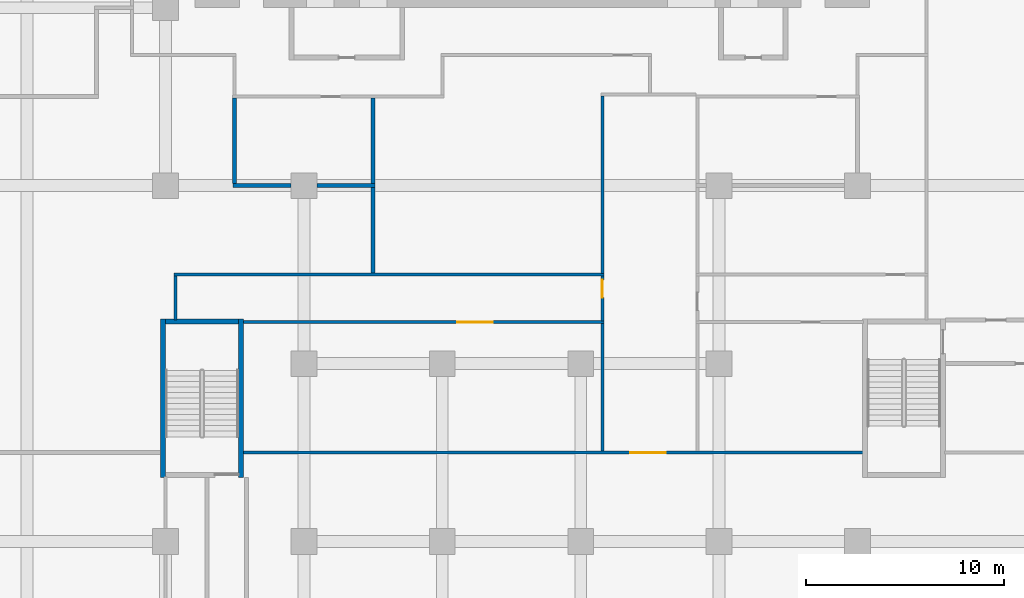
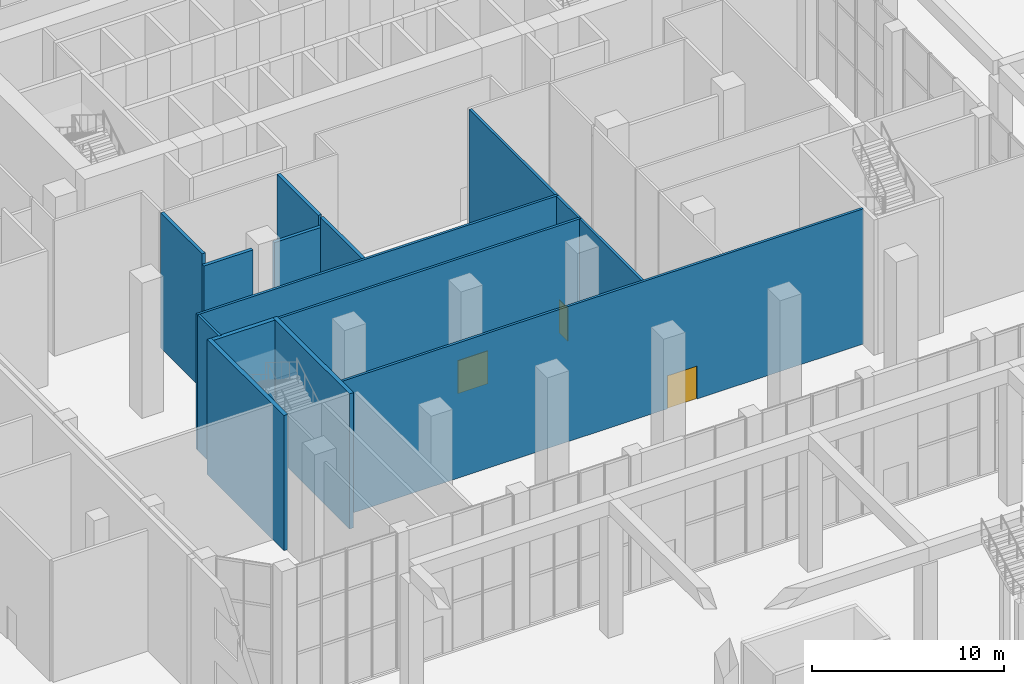
# One storey, part 20 of 43: 15 walls, 3 doors, 3 openings.
"""IFC4 building model written with IfcOpenShell, lengths in metres."""

from ifc_helpers import new_model, si_unit, direction, frame, frame_2d, origin, place, context, subcontext, project, spatial, rectangle, extrude, source, transform, mapped, material, layer, layer_set, type_object, element, fill, save


model = new_model("IFC4")

# Units and contexts
model_context = context("Model", 3, precision=1e-05, world=origin(), true_north=direction((0.0, 1.0)))
body_context = subcontext(model_context, "Body", "Model", "MODEL_VIEW")
ifc_project = project(units=[si_unit("LENGTHUNIT", "METRE"), si_unit("AREAUNIT", "SQUARE_METRE"), si_unit("VOLUMEUNIT", "CUBIC_METRE"), si_unit("PLANEANGLEUNIT", "RADIAN"), si_unit("MASSUNIT", "GRAM", prefix="KILO")], contexts=[model_context])

# Site, building, storey
site_placement = place(None, origin())
site = spatial("IfcSite", under=ifc_project, at=site_placement, CompositionType="ELEMENT")
building_placement = place(site_placement, origin())
building = spatial("IfcBuilding", under=site, at=building_placement, Name="Kilnfold Tower and Market Hall", CompositionType="ELEMENT")
storey_placement = place(building_placement, origin())
storey = spatial("IfcBuildingStorey", under=building, at=storey_placement, Name="L00", CompositionType="ELEMENT", Elevation=0.0)

# Wall, opening, door
ifc_material_1 = material(Name="Gypsum board on steel studs", Category="steel")
ifc_layer_1 = layer(ifc_material_1, 0.14990234375)
ifc_layer_set_1 = layer_set([ifc_layer_1], Name="Gypsum board on steel studs")
wall_type_1 = type_object("IfcWallType", Name="WALL CORRIDOR 150", PredefinedType="PARTITIONING", material=ifc_layer_set_1)
wall_1_placement = place(storey_placement, frame((-13.60009765625, -14.5, 0.0), z_axis=(0.0, 0.0, 1.0), x_axis=(1.0, 0.0, 0.0)))
wall_1 = element("IfcWall", 1, at=wall_1_placement, inside=storey, type_object=wall_type_1, Name="Partition LY01.2", PredefinedType="PARTITIONING", context=body_context, shape_type="SweptSolid", body=[
    extrude(rectangle(XDim=31.400146484375, YDim=0.14990234375, at=frame_2d((15.7001953125, 0.0))), origin(), (0.0, 0.0, 1.0), 8.60009765625),
])
opening_1_placement = place(wall_1_placement, frame((19.59912109375, 0.0, 0.0)))
opening_1 = element("IfcOpeningElement", 2, at=opening_1_placement, cuts=wall_1, Name="Opening D5", PredefinedType="OPENING", context=body_context, shape_type="SweptSolid", body=[
    extrude(rectangle(XDim=1.800048828125, YDim=2.10009765625, at=frame_2d((0.89990234375, 1.050048828125))), frame((0.0, 0.0849609375, 0.0), z_axis=(0.0, -1.0, 0.0), x_axis=(1.0, 0.0, 0.0)), (0.0, 0.0, 1.0), 0.169921875),
])
ifc_material_2 = material(Name="Timber veneer door leaf in steel frame", Category="steel")
door_type_1 = type_object("IfcDoorType", Name="DOOR DOUBLE 1800 X2100", OperationType="NOTDEFINED", PredefinedType="DOOR", material=ifc_material_2)
door_1_placement = place(opening_1_placement, origin())
door_1 = element("IfcDoor", 3, at=door_1_placement, inside=storey, type_object=door_type_1, Name="Door D5", OperationType="DOUBLE_DOOR_SINGLE_SWING", OverallHeight=2.10009765625, OverallWidth=1.800048828125, PredefinedType="DOOR", context=body_context, shape_type="SweptSolid", body=[
    extrude(rectangle(XDim=1.800048828125, YDim=2.10009765625, at=frame_2d((0.89990234375, 1.050048828125))), frame((0.0, 0.02490234375, 0.0), z_axis=(0.0, -1.0, 0.0), x_axis=(1.0, 0.0, 0.0)), (0.0, 0.0, 1.0), 0.050048828125),
])
fill(opening_1, door_1)

wall_2_placement = place(storey_placement, frame((4.60009765625, -7.8349609375, 0.0), z_axis=(0.0, 0.0, 1.0), x_axis=(0.0, 1.0, 0.0)))
wall_2 = element("IfcWall", 4, at=wall_2_placement, inside=storey, type_object=wall_type_1, Name="Partition LY01.10", PredefinedType="PARTITIONING", context=body_context, shape_type="SweptSolid", body=[
    extrude(rectangle(XDim=2.27001953125, YDim=0.14990234375, at=frame_2d((1.135009765625, 0.0))), origin(), (0.0, 0.0, 1.0), 8.60009765625),
])
opening_2_placement = place(wall_2_placement, frame((1.169921875, 0.0, 0.0)))
opening_2 = element("IfcOpeningElement", 5, at=opening_2_placement, cuts=wall_2, Name="Opening D2", PredefinedType="OPENING", context=body_context, shape_type="SweptSolid", body=[
    extrude(rectangle(XDim=0.89990234375, YDim=2.10009765625, at=frame_2d((0.449951171875, 1.050048828125))), frame((0.0, 0.0849609375, 0.0), z_axis=(0.0, -1.0, 0.0), x_axis=(1.0, 0.0, 0.0)), (0.0, 0.0, 1.0), 0.169921875),
])
ifc_material_3 = material(Name="Timber veneer door leaf in steel frame", Category="steel")
door_type_2 = type_object("IfcDoorType", Name="DOOR ROOM 900 X2100", OperationType="NOTDEFINED", PredefinedType="DOOR", material=ifc_material_3)
door_2_placement = place(opening_2_placement, origin())
door_2 = element("IfcDoor", 6, at=door_2_placement, inside=storey, type_object=door_type_2, Name="Door D2", OperationType="SINGLE_SWING_LEFT", OverallHeight=2.10009765625, OverallWidth=0.89990234375, PredefinedType="DOOR", context=body_context, shape_type="SweptSolid", body=[
    extrude(rectangle(XDim=0.89990234375, YDim=2.10009765625, at=frame_2d((0.449951171875, 1.050048828125))), frame((0.0, 0.02490234375, 0.0), z_axis=(0.0, -1.0, 0.0), x_axis=(1.0, 0.0, 0.0)), (0.0, 0.0, 1.0), 0.050048828125),
])
fill(opening_2, door_2)

# Walls
wall_3_placement = place(storey_placement, frame((4.60009765625, -14.425048828125, 0.0), z_axis=(0.0, 0.0, 1.0), x_axis=(0.0, 1.0, 0.0)))
element("IfcWall", 7, at=wall_3_placement, inside=storey, type_object=wall_type_1, Name="Partition LY01.12", PredefinedType="PARTITIONING", context=body_context, shape_type="SweptSolid", body=[
    extrude(rectangle(XDim=6.458984375, YDim=0.14990234375, at=frame_2d((3.2294921875, 0.0))), origin(), (0.0, 0.0, 1.0), 8.60009765625),
])
wall_4_placement = place(storey_placement, frame((4.60009765625, -5.43408203125, 0.0), z_axis=(0.0, 0.0, 1.0), x_axis=(0.0, 1.0, 0.0)))
element("IfcWall", 8, at=wall_4_placement, inside=storey, type_object=wall_type_1, Name="Partition LY01.13", PredefinedType="PARTITIONING", context=body_context, shape_type="SweptSolid", body=[
    extrude(rectangle(XDim=8.958984375, YDim=0.14990234375, at=frame_2d((4.4794921875, 0.0))), origin(), (0.0, 0.0, 1.0), 8.60009765625),
])
wall_5_placement = place(storey_placement, frame((-17.0, -5.574951171875, 0.0), z_axis=(0.0, 0.0, 1.0), x_axis=(0.0, -1.0, 0.0)))
element("IfcWall", 9, at=wall_5_placement, inside=storey, type_object=wall_type_1, Name="Partition LY01.18", PredefinedType="PARTITIONING", context=body_context, shape_type="SweptSolid", body=[
    extrude(rectangle(XDim=2.22509765625, YDim=0.14990234375, at=frame_2d((1.112548828125, 0.0))), origin(), (0.0, 0.0, 1.0), 8.60009765625),
])
wall_6_placement = place(storey_placement, frame((-17.074951171875, -5.5, 0.0), z_axis=(0.0, 0.0, 1.0), x_axis=(1.0, 0.0, 0.0)))
element("IfcWall", 10, at=wall_6_placement, inside=storey, type_object=wall_type_1, Name="Partition LY01.19", PredefinedType="PARTITIONING", context=body_context, shape_type="SweptSolid", body=[
    extrude(rectangle(XDim=21.75, YDim=0.14990234375, at=frame_2d((10.875, 0.0))), origin(), (0.0, 0.0, 1.0), 8.60009765625),
])

# Wall, opening, door
wall_7_placement = place(storey_placement, frame((-13.60009765625, -7.89990234375, 0.0), z_axis=(0.0, 0.0, 1.0), x_axis=(1.0, 0.0, 0.0)))
wall_7 = element("IfcWall", 11, at=wall_7_placement, inside=storey, type_object=wall_type_1, Name="Partition LY01.20", PredefinedType="PARTITIONING", context=body_context, shape_type="SweptSolid", body=[
    extrude(rectangle(XDim=18.275146484375, YDim=0.14990234375, at=frame_2d((9.1376953125, 0.0))), origin(), (0.0, 0.0, 1.0), 8.60009765625),
])
opening_3_placement = place(wall_7_placement, frame((10.85009765625, 0.0, 0.0)))
opening_3 = element("IfcOpeningElement", 12, at=opening_3_placement, cuts=wall_7, Name="Opening D5", PredefinedType="OPENING", context=body_context, shape_type="SweptSolid", body=[
    extrude(rectangle(XDim=1.800048828125, YDim=2.10009765625, at=frame_2d((0.89990234375, 1.050048828125))), frame((0.0, 0.0849609375, 0.0), z_axis=(0.0, -1.0, 0.0), x_axis=(1.0, 0.0, 0.0)), (0.0, 0.0, 1.0), 0.169921875),
])
door_3_placement = place(opening_3_placement, origin())
door_3 = element("IfcDoor", 13, at=door_3_placement, inside=storey, type_object=door_type_1, Name="Door D5", OperationType="DOUBLE_DOOR_SINGLE_SWING", OverallHeight=2.10009765625, OverallWidth=1.800048828125, PredefinedType="DOOR", context=body_context, shape_type="SweptSolid", body=[
    extrude(rectangle(XDim=1.800048828125, YDim=2.10009765625, at=frame_2d((0.89990234375, 1.050048828125))), frame((0.0, 0.02490234375, 0.0), z_axis=(0.0, -1.0, 0.0), x_axis=(1.0, 0.0, 0.0)), (0.0, 0.0, 1.0), 0.050048828125),
])
fill(opening_3, door_3)

# Walls
ifc_material_4 = material(Name="Gypsum board on steel studs", Category="steel")
ifc_layer_2 = layer(ifc_material_4, 0.199951171875)
ifc_layer_set_2 = layer_set([ifc_layer_2], Name="Gypsum board on steel studs")
wall_type_2 = type_object("IfcWallType", Name="WALL PARTY 200", PredefinedType="PARTITIONING", material=ifc_layer_set_2)
wall_8_placement = place(storey_placement, frame((-14.0, -0.89794921875, 0.0), z_axis=(0.0, 0.0, 1.0), x_axis=(0.0, 1.0, 0.0)))
element("IfcWall", 14, at=wall_8_placement, inside=storey, type_object=wall_type_2, Name="Partition LY01.41", PredefinedType="PARTITIONING", context=body_context, shape_type="SweptSolid", body=[
    extrude(rectangle(XDim=4.322021484375, YDim=0.199951171875, at=frame_2d((2.1611328125, 0.0))), origin(), (0.0, 0.0, 1.0), 8.60009765625),
])
wall_9_placement = place(storey_placement, frame((-14.097900390625, -1.0, 0.0), z_axis=(0.0, 0.0, 1.0), x_axis=(1.0, 0.0, 0.0)))
element("IfcWall", 15, at=wall_9_placement, inside=storey, type_object=wall_type_2, Name="Partition LY01.42", PredefinedType="PARTITIONING", context=body_context, shape_type="SweptSolid", body=[
    extrude(rectangle(XDim=2.947998046875, YDim=0.199951171875, at=frame_2d((1.47412109375, 0.0))), origin(), (0.0, 0.0, 1.0), 7.949951171875),
])
wall_10_placement = place(storey_placement, frame((-9.85009765625, -1.0, 0.0), z_axis=(0.0, 0.0, 1.0), x_axis=(1.0, 0.0, 0.0)))
element("IfcWall", 16, at=wall_10_placement, inside=storey, type_object=wall_type_2, Name="Partition LY01.43", PredefinedType="PARTITIONING", context=body_context, shape_type="SweptSolid", body=[
    extrude(rectangle(XDim=2.9501953125, YDim=0.199951171875, at=frame_2d((1.47509765625, 0.0))), origin(), (0.0, 0.0, 1.0), 7.949951171875),
])
for number, where, z_axis, x_axis, name in (
    (17, (-7.0, -5.424072265625, 0.0), (0.0, 0.0, 1.0), (0.0, 1.0, 0.0), "Partition LY01.44"),
    (18, (-7.0, -0.89990234375, 0.0), (0.0, 0.0, 1.0), (0.0, 1.0, 0.0), "Partition LY01.46"),
):
    element("IfcWall", number, at=place(storey_placement, frame(where, z_axis=z_axis, x_axis=x_axis)), inside=storey, type_object=wall_type_2, Name=name, PredefinedType="PARTITIONING", context=body_context, shape_type="SweptSolid", body=[
        extrude(rectangle(XDim=4.323974609375, YDim=0.199951171875, at=frame_2d((2.162109375, 0.0))), origin(), (0.0, 0.0, 1.0), 8.60009765625),
    ])
ifc_material_5 = material(Name="Concrete C80", Category="concrete")
ifc_layer_3 = layer(ifc_material_5, 0.25)
ifc_layer_set_3 = layer_set([ifc_layer_3], Name="Concrete C80")
wall_type_3 = type_object("IfcWallType", Name="CORE WALL 250 C80", PredefinedType="SHEAR", material=ifc_layer_set_3)
shared_shape_1 = source(origin(), body_context, "Body", "SweptSolid", [
    extrude(rectangle(XDim=3.699951171875, YDim=0.25, at=frame_2d((1.85009765625, 0.0))), origin(), (0.0, 0.0, 1.0), 8.60009765625),
])
wall_11_placement = place(storey_placement, frame((-17.5, -7.875, 0.0), z_axis=(0.0, 0.0, 1.0), x_axis=(1.0, 0.0, 0.0)))
element("IfcWall", 19, at=wall_11_placement, inside=storey, type_object=wall_type_3, Name="Stair enclosure ST3", PredefinedType="SHEAR", context=body_context, shape_type="MappedRepresentation", body=[
    mapped(shared_shape_1, transform((0.0, 0.0, 0.0))),
])
shared_shape_2 = source(origin(), body_context, "Body", "SweptSolid", [
    extrude(rectangle(XDim=8.0, YDim=0.25, at=frame_2d((4.0, 0.0))), origin(), (0.0, 0.0, 1.0), 8.60009765625),
])
for number, where, z_axis, x_axis, name in (
    (20, (-17.625, -15.75, 0.0), (0.0, 0.0, 1.0), (0.0, 1.0, 0.0), "Stair enclosure ST3"),
    (21, (-13.675048828125, -15.75, 0.0), (0.0, 0.0, 1.0), (0.0, 1.0, 0.0), "Stair enclosure ST3"),
):
    element("IfcWall", number, at=place(storey_placement, frame(where, z_axis=z_axis, x_axis=x_axis)), inside=storey, type_object=wall_type_3, Name=name, PredefinedType="SHEAR", context=body_context, shape_type="MappedRepresentation", body=[
        mapped(shared_shape_2, transform((0.0, 0.0, 0.0))),
    ])

save(model, "model.ifc")
